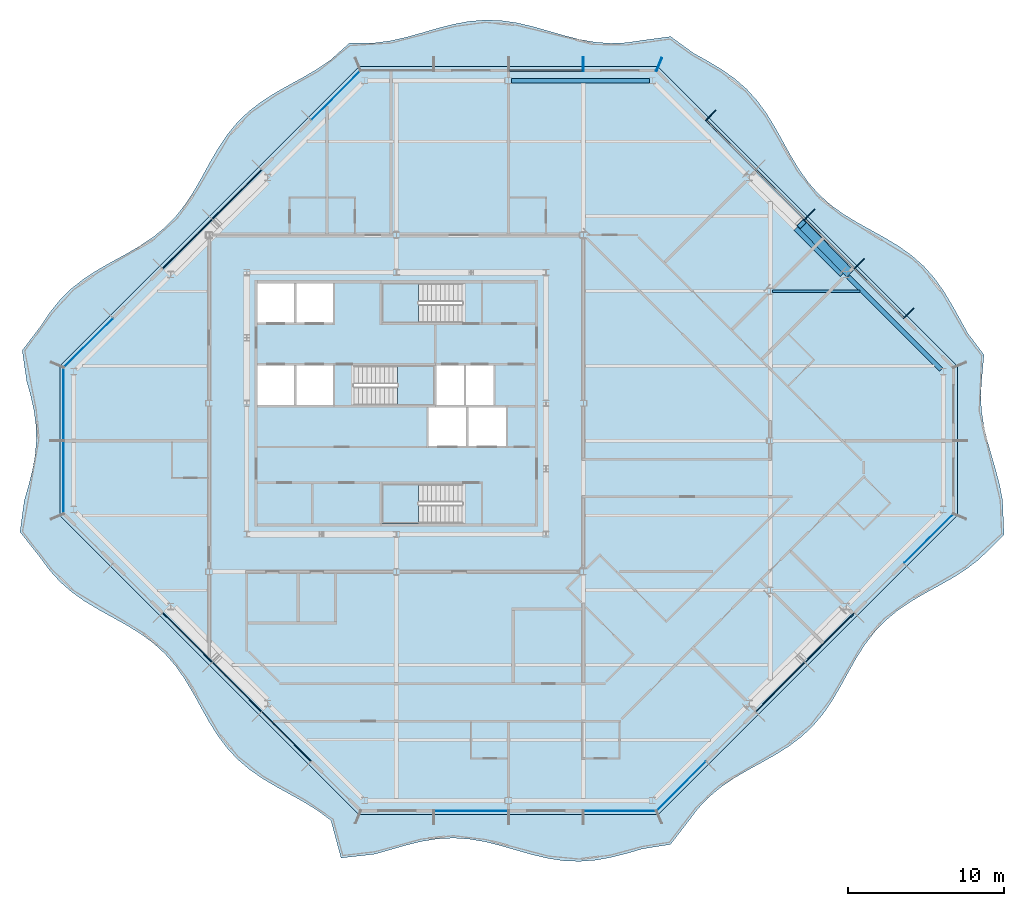
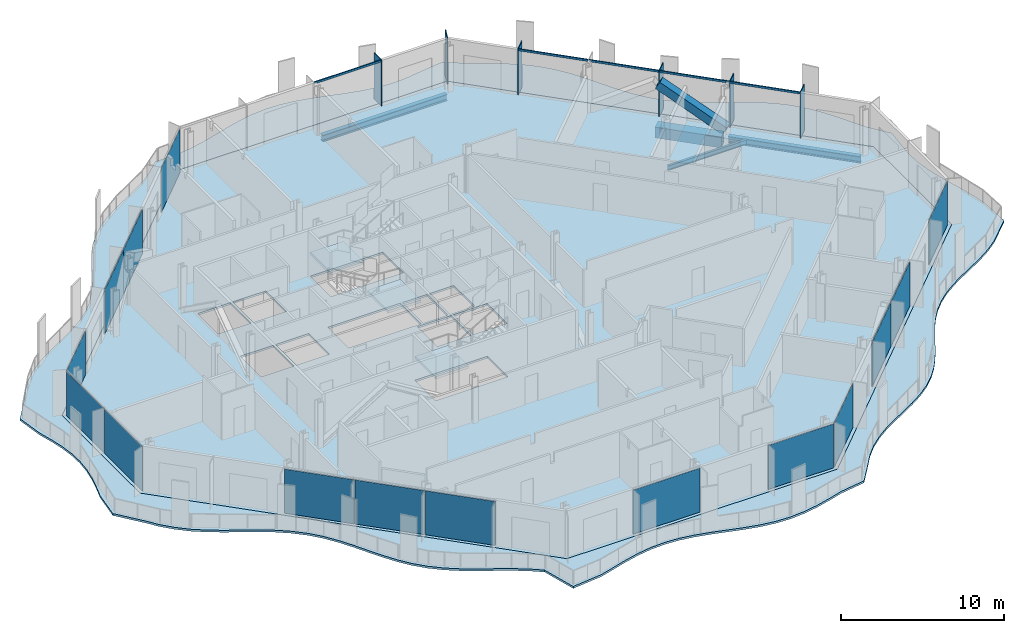
# One storey, part 5 of 17: 15 plates, 12 members, 5 slabs, 4 beams, 10 elements without a shape of their own.
"""IFC4 building model written with IfcOpenShell, lengths in metres."""

import ifcopenshell
import ifcopenshell.guid

model = None  # the IFC model being written
_history = None  # IfcOwnerHistory: only IFC2X3 demands one
_inside = {}  # id of a spatial element -> (the spatial element, [elements in it])
_under = {}  # id of a project, library or spatial element -> (it, [spatial elements below it])
_declared = {}  # id of a project -> (the project, [libraries it declares])
_typed = {}  # id of a type object -> (the type object, [elements of that type])
_made_of = {}  # id of a material, layer set ... -> (it, [elements and type objects made of it])


def new_model(schema):
    """Start an empty IFC model of exactly this schema.

    Asked for "IFC4X3", IfcOpenShell would pick the latest addendum, in which some entities
    have other attributes; the version numbers below select the first issue.
    IFC2X3 requires an IfcOwnerHistory on every rooted entity: one is made here for all.
    """
    global model, _history
    if schema == "IFC4X3":
        model = ifcopenshell.file(schema_version=(4, 3, 0, 0))
    else:
        model = ifcopenshell.file(schema=schema)
    _inside.clear()
    _under.clear()
    _declared.clear()
    _typed.clear()
    _made_of.clear()
    _history = None
    if model.schema == "IFC2X3":
        org = make("IfcOrganization", Name="unknown")
        user = make(
            "IfcPersonAndOrganization",
            ThePerson=make("IfcPerson", FamilyName="unknown"),
            TheOrganization=org,
        )
        app = make(
            "IfcApplication",
            ApplicationDeveloper=org,
            Version="unknown",
            ApplicationFullName="unknown",
            ApplicationIdentifier="unknown",
        )
        _history = make(
            "IfcOwnerHistory",
            OwningUser=user,
            OwningApplication=app,
            ChangeAction="ADDED",
            CreationDate=0,
        )
    return model


def make(cls, **values):
    """One entity of the class cls with the attributes given. An attribute that is None is left unset."""
    return model.create_entity(
        cls, **{name: value for name, value in values.items() if value is not None}
    )


def rooted(cls, **values):
    """An entity with a GlobalId (a new one), such as an element, a storey or a relation."""
    return make(cls, GlobalId=ifcopenshell.guid.new(), OwnerHistory=_history, **values)


def si_unit(unit_type, name, prefix=None):
    """IfcSIUnit, for example si_unit("LENGTHUNIT", "METRE", prefix="MILLI")."""
    return make("IfcSIUnit", UnitType=unit_type, Prefix=prefix, Name=name)


def assignment(units):
    """IfcUnitAssignment: the units of a project."""
    return None if units is None else make("IfcUnitAssignment", Units=units)


def point(xyz):
    """IfcCartesianPoint."""
    return None if xyz is None else make("IfcCartesianPoint", Coordinates=xyz)


def direction(xyz):
    """IfcDirection."""
    return None if xyz is None else make("IfcDirection", DirectionRatios=xyz)


def frame(location, z_axis=None, x_axis=None):
    """IfcAxis2Placement3D, a coordinate frame: its origin and axes. An axis left out is left unset."""
    return make(
        "IfcAxis2Placement3D",
        Location=point(location),
        Axis=direction(z_axis),
        RefDirection=direction(x_axis),
    )


def frame_2d(location, x_axis=None):
    """IfcAxis2Placement2D, a coordinate frame in the plane: its origin and x axis."""
    return make(
        "IfcAxis2Placement2D", Location=point(location), RefDirection=direction(x_axis)
    )


def origin():
    """The frame at (0, 0, 0) with its axes left unset."""
    return frame((0.0, 0.0, 0.0))


def origin_2d():
    """The frame at (0, 0) in the plane with its x axis left unset."""
    return frame_2d((0.0, 0.0))


def place(relative_to, where):
    """IfcLocalPlacement: puts the frame where relative to a parent placement (None: the world)."""
    return make(
        "IfcLocalPlacement", PlacementRelTo=relative_to, RelativePlacement=where
    )


def context(
    kind, dimensions, precision=None, world=None, true_north=None, identifier=None
):
    """IfcGeometricRepresentationContext, for example the 3D "Model" context."""
    return make(
        "IfcGeometricRepresentationContext",
        ContextIdentifier=identifier,
        ContextType=kind,
        CoordinateSpaceDimension=dimensions,
        Precision=precision,
        WorldCoordinateSystem=world,
        TrueNorth=true_north,
    )


def subcontext(parent, identifier, kind, view, scale=None):
    """IfcGeometricRepresentationSubContext, for example "Body" below "Model"."""
    return make(
        "IfcGeometricRepresentationSubContext",
        ContextIdentifier=identifier,
        ContextType=kind,
        ParentContext=parent,
        TargetScale=scale,
        TargetView=view,
    )


def project(units=None, contexts=None):
    """IfcProject with its units and contexts."""
    return rooted(
        "IfcProject",
        Name="project",
        RepresentationContexts=contexts,
        UnitsInContext=assignment(units),
    )


def spatial(cls, under=None, at=None, **own):
    """A site, building, storey or space (cls), placed at a placement, below another one or the project."""
    s = rooted(cls, ObjectPlacement=at, **own)
    if under is not None:
        _under.setdefault(under.id(), (under, []))[1].append(s)
    return s


def polyline(points):
    """IfcPolyline through the points."""
    return make("IfcPolyline", Points=[point(p) for p in points])


def profile(cls, at=None, kind="AREA", **sizes):
    """A parametric profile (cls). Its sizes go by their IFC names, for example OverallWidth=200.0."""
    return make(cls, ProfileType=kind, Position=at, **sizes)


def rectangle(**sizes):
    """IfcRectangleProfileDef."""
    return profile("IfcRectangleProfileDef", **sizes)


def hollow_rectangle(**sizes):
    """IfcRectangleHollowProfileDef."""
    return profile("IfcRectangleHollowProfileDef", **sizes)


def i_section(**sizes):
    """IfcIShapeProfileDef."""
    return profile("IfcIShapeProfileDef", **sizes)


def outline(outer, holes=None, kind="AREA"):
    """IfcArbitraryClosedProfileDef: a profile drawn as a closed curve; with holes, ...WithVoids."""
    if holes is None:
        return make("IfcArbitraryClosedProfileDef", ProfileType=kind, OuterCurve=outer)
    return make(
        "IfcArbitraryProfileDefWithVoids",
        ProfileType=kind,
        OuterCurve=outer,
        InnerCurves=holes,
    )


def extrude(swept, where, along, depth):
    """IfcExtrudedAreaSolid: the profile swept, set in the frame where, extruded along a direction by depth."""
    return make(
        "IfcExtrudedAreaSolid",
        SweptArea=swept,
        Position=where,
        ExtrudedDirection=direction(along),
        Depth=depth,
    )


def shape(context_of_items, identifier, shape_type, items):
    """IfcShapeRepresentation: the items that make up one representation, for example the "Body"."""
    return make(
        "IfcShapeRepresentation",
        ContextOfItems=context_of_items,
        RepresentationIdentifier=identifier,
        RepresentationType=shape_type,
        Items=items,
    )


def material(Name=None, Category=None):
    """IfcMaterial."""
    return make("IfcMaterial", Name=Name, Category=Category)


def layer(
    of_material, thickness, ventilated=None, Name=None, Category=None, Priority=None
):
    """IfcMaterialLayer: one layer of a wall or slab, of a material (None: an air gap)."""
    return make(
        "IfcMaterialLayer",
        Material=of_material,
        LayerThickness=thickness,
        IsVentilated=ventilated,
        Name=Name,
        Category=Category,
        Priority=Priority,
    )


def layer_set(layers, Name=None):
    """IfcMaterialLayerSet."""
    return make("IfcMaterialLayerSet", MaterialLayers=layers, LayerSetName=Name)


def material_profile(
    of_material, cross_section, Name=None, Category=None, Priority=None
):
    """IfcMaterialProfile: a cross section and its material."""
    return make(
        "IfcMaterialProfile",
        Name=Name,
        Material=of_material,
        Profile=cross_section,
        Priority=Priority,
        Category=Category,
    )


def profile_set(profiles, Name=None, composite=None):
    """IfcMaterialProfileSet."""
    return make(
        "IfcMaterialProfileSet",
        Name=Name,
        MaterialProfiles=profiles,
        CompositeProfile=composite,
    )


def made_of(thing, what):
    """Note that an element or type object is made of a material, layer set ...; save() writes the relation."""
    if what is not None:
        _made_of.setdefault(what.id(), (what, []))[1].append(thing)
    return thing


def type_object(cls, material=None, **own):
    """A type object (cls), such as IfcWallType, which elements share."""
    return made_of(rooted(cls, **own), material)


def element(
    cls,
    number,
    at=None,
    inside=None,
    cuts=None,
    type_object=None,
    material=None,
    context=None,
    identifier="Body",
    shape_type=None,
    held_by="IfcProductDefinitionShape",
    body=None,
    shapes=None,
    **own,
):
    """One element of the class cls, such as IfcWall. Its Tag is "e" and its number.

    at: its placement. inside: the storey or other place that contains it. cuts: it is an
    opening in that element (IfcRelVoidsElement). A single representation is given by context,
    identifier, shape_type and body (its items); several are given by shapes. held_by: the class
    of the entity that holds the representations. save() writes the other relations.
    """
    e = rooted(cls, Tag="e%d" % number, ObjectPlacement=at, **own)
    if body is not None:
        shapes = [shape(context, identifier, shape_type, body)]
    if shapes is not None:
        e.Representation = make(held_by, Representations=shapes)
    if inside is not None:
        _inside.setdefault(inside.id(), (inside, []))[1].append(e)
    if cuts is not None:
        rooted(
            "IfcRelVoidsElement", RelatingBuildingElement=cuts, RelatedOpeningElement=e
        )
    if type_object is not None:
        _typed.setdefault(type_object.id(), (type_object, []))[1].append(e)
    return made_of(e, material)


def aggregate(whole, parts):
    """IfcRelAggregates: a whole, such as a stair, and the parts it consists of."""
    return rooted("IfcRelAggregates", RelatingObject=whole, RelatedObjects=parts)


def save(model, path):
    """Write the relations noted so far, then the file.

    IfcRelAggregates (storeys below a building ...), IfcRelContainedInSpatialStructure (elements
    in a storey), IfcRelDefinesByType, IfcRelAssociatesMaterial and IfcRelDeclares: one each for
    every whole, place, type object, material and project.
    """
    for whole, parts in _under.values():
        aggregate(whole, parts)
    for where, things in _inside.values():
        rooted(
            "IfcRelContainedInSpatialStructure",
            RelatedElements=things,
            RelatingStructure=where,
        )
    for kind, things in _typed.values():
        rooted("IfcRelDefinesByType", RelatedObjects=things, RelatingType=kind)
    for what, things in _made_of.values():
        rooted("IfcRelAssociatesMaterial", RelatedObjects=things, RelatingMaterial=what)
    for by, libraries in _declared.values():
        rooted("IfcRelDeclares", RelatingContext=by, RelatedDefinitions=libraries)
    model.write(path)


model = new_model("IFC4")

# Units and contexts
model_context = context("Model", 3, precision=1e-05, world=origin(), true_north=direction((0.0, 1.0)))
body_context = subcontext(model_context, "Body", "Model", "MODEL_VIEW")
ifc_project = project(units=[si_unit("LENGTHUNIT", "METRE"), si_unit("AREAUNIT", "SQUARE_METRE"), si_unit("VOLUMEUNIT", "CUBIC_METRE"), si_unit("PLANEANGLEUNIT", "RADIAN"), si_unit("MASSUNIT", "GRAM", prefix="KILO")], contexts=[model_context])

# Site, building, storey
site_placement = place(None, origin())
site = spatial("IfcSite", under=ifc_project, at=site_placement, CompositionType="ELEMENT")
building_placement = place(site_placement, origin())
building = spatial("IfcBuilding", under=site, at=building_placement, Name="Cairn Pilgrim Tower", CompositionType="ELEMENT")
storey_placement = place(building_placement, frame((0.0, 0.0, 232.199951171875)))
storey = spatial("IfcBuildingStorey", under=building, at=storey_placement, Name="L59", CompositionType="ELEMENT", Elevation=232.199951171875)

# Member
ifc_material_1 = material(Name="Structural steel S460M", Category="steel")
ifc_material_profile_1 = material_profile(ifc_material_1, hollow_rectangle(XDim=0.60009765625, YDim=0.60009765625, WallThickness=0.034912109375, at=origin_2d()), Name="BOX 600x600x35")
ifc_profile_set_1 = profile_set([ifc_material_profile_1], Name="Structural steel S460M")
member_type_1 = type_object("IfcMemberType", Name="BOX 600x600x35 BRACE", PredefinedType="BRACE", material=ifc_profile_set_1)
member_1_placement = place(storey_placement, frame((36.201416015625, 10.823974609375, 0.150146484375), z_axis=(-0.594778373814, 0.610009201523, 0.523571828979), x_axis=(-0.715988756584, -0.698111810848, 0.0)))
element("IfcMember", 1, at=member_1_placement, inside=storey, type_object=member_type_1, Name="XB-NE2-NE3-1", PredefinedType="BRACE", context=body_context, shape_type="SweptSolid", body=[
    extrude(hollow_rectangle(XDim=0.60009765625, YDim=0.60009765625, WallThickness=0.034912109375, at=origin_2d()), origin(), (0.0, 0.0, 1.0), 5.033203125),
])

# Beam
ifc_material_2 = material(Name="Structural steel S355J2", Category="steel")
ifc_material_profile_2 = material_profile(ifc_material_2, hollow_rectangle(XDim=0.699951171875, YDim=0.800048828125, WallThickness=0.0400390625, at=origin_2d()), Name="BOX 700x800x40")
ifc_profile_set_2 = profile_set([ifc_material_profile_2], Name="Structural steel S355J2")
beam_type_1 = type_object("IfcBeamType", Name="BOX 700x800x40 RING GIRDER", PredefinedType="SPANDREL", material=ifc_profile_set_2)
beam_1_placement = place(storey_placement, frame((35.943359375, 10.78369140625, -0.550048828125), z_axis=(-0.707077813866, 0.707135747321, 0.0), x_axis=(-0.707135747321, -0.707077813866, 0.0)))
element("IfcBeam", 2, at=beam_1_placement, inside=storey, type_object=beam_type_1, Name="RG3-NE2-NE3-1", PredefinedType="SPANDREL", context=body_context, shape_type="SweptSolid", body=[
    extrude(hollow_rectangle(XDim=0.699951171875, YDim=0.800048828125, WallThickness=0.0400390625, at=origin_2d()), origin(), (0.0, 0.0, 1.0), 4.214111328125),
])

# Curtain wall, members
ifc_material_3 = material(Name="Aluminium alloy 6063-T6 bronze anodised with Bronze tinted laminated low-E glass 8+16+8.8", Category="aluminium")
curtain_wall_type_1 = type_object("IfcCurtainWallType", Name="CHAMFER CORNER CURTAIN WALL", PredefinedType="NOTDEFINED", material=ifc_material_3)
curtain_wall_1_placement = place(storey_placement, origin())
curtain_wall_1 = element("IfcCurtainWall", 3, at=curtain_wall_1_placement, inside=storey, type_object=curtain_wall_type_1, Name="Chamfer Corner Curtain Wall NE", PredefinedType="NOTDEFINED")
ifc_material_4 = material(Name="Aluminium alloy 6063-T6 bronze anodised", Category="aluminium")
ifc_material_profile_3 = material_profile(ifc_material_4, rectangle(XDim=0.89990234375, YDim=0.06005859375, at=origin_2d()), Name="FIN MULLION 60x900 BRONZE")
ifc_profile_set_3 = profile_set([ifc_material_profile_3], Name="Aluminium alloy 6063-T6 bronze anodised")
member_type_2 = type_object("IfcMemberType", Name="FIN MULLION 60x900 BRONZE", PredefinedType="MULLION", material=ifc_profile_set_3)
member_2_placement = place(storey_placement, frame((40.0712890625, 8.1689453125, 0.0), z_axis=(0.0, 0.0, 1.0), x_axis=(0.707106781187, 0.707106781187, 0.0)))
member_2 = element("IfcMember", 4, at=member_2_placement, type_object=member_type_2, Name="Fin mullion NE2", PredefinedType="MULLION", context=body_context, shape_type="SweptSolid", body=[
    extrude(rectangle(XDim=0.89990234375, YDim=0.06005859375, at=origin_2d()), origin(), (0.0, 0.0, 1.0), 3.449951171875),
])
member_3_placement = place(storey_placement, frame((36.895751953125, 11.3447265625, 0.0), z_axis=(0.0, 0.0, 1.0), x_axis=(0.707106781187, 0.707106781187, 0.0)))
member_3 = element("IfcMember", 5, at=member_3_placement, type_object=member_type_2, Name="Fin mullion NE3", PredefinedType="MULLION", context=body_context, shape_type="SweptSolid", body=[
    extrude(rectangle(XDim=0.89990234375, YDim=0.06005859375, at=origin_2d()), origin(), (0.0, 0.0, 1.0), 3.449951171875),
])
member_4_placement = place(storey_placement, frame((33.72021484375, 14.520263671875, 0.0), z_axis=(0.0, 0.0, 1.0), x_axis=(0.707106781187, 0.707106781187, 0.0)))
member_4 = element("IfcMember", 6, at=member_4_placement, type_object=member_type_2, Name="Fin mullion NE4", PredefinedType="MULLION", context=body_context, shape_type="SweptSolid", body=[
    extrude(rectangle(XDim=0.89990234375, YDim=0.06005859375, at=origin_2d()), origin(), (0.0, 0.0, 1.0), 3.449951171875),
])
member_5_placement = place(storey_placement, frame((27.369140625, 20.871337890625, 0.0), z_axis=(0.0, 0.0, 1.0), x_axis=(0.707106781187, 0.707106781187, 0.0)))
member_5 = element("IfcMember", 7, at=member_5_placement, type_object=member_type_2, Name="Fin mullion NE6", PredefinedType="MULLION", context=body_context, shape_type="SweptSolid", body=[
    extrude(rectangle(XDim=0.89990234375, YDim=0.06005859375, at=origin_2d()), origin(), (0.0, 0.0, 1.0), 3.449951171875),
])

curtain_wall_type_2 = type_object("IfcCurtainWallType", Name="TOWER STICK CURTAIN WALL NS", PredefinedType="NOTDEFINED", material=ifc_material_3)
curtain_wall_2_placement = place(storey_placement, origin())
curtain_wall_2 = element("IfcCurtainWall", 8, at=curtain_wall_2_placement, inside=storey, type_object=curtain_wall_type_2, Name="Tower Stick Curtain Wall Ns N", PredefinedType="NOTDEFINED")
member_6_placement = place(storey_placement, frame((24.05712890625, 24.137939453125, 0.0), z_axis=(0.0, 0.0, 1.0), x_axis=(0.382683432365, 0.923879532511, 0.0)))
member_6 = element("IfcMember", 9, at=member_6_placement, type_object=member_type_2, Name="Fin mullion N1", PredefinedType="MULLION", context=body_context, shape_type="SweptSolid", body=[
    extrude(rectangle(XDim=0.89990234375, YDim=0.06005859375, at=origin_2d()), origin(), (0.0, 0.0, 1.0), 3.449951171875),
])
member_7_placement = place(storey_placement, frame((19.199951171875, 24.169921875, 0.0), z_axis=(0.0, 0.0, 1.0), x_axis=(0.0, 1.0, 0.0)))
member_7 = element("IfcMember", 10, at=member_7_placement, type_object=member_type_2, Name="Fin mullion N2", PredefinedType="MULLION", context=body_context, shape_type="SweptSolid", body=[
    extrude(rectangle(XDim=0.89990234375, YDim=0.06005859375, at=origin_2d()), origin(), (0.0, 0.0, 1.0), 3.449951171875),
])

# Beams
ifc_material_profile_4 = material_profile(ifc_material_2, i_section(OverallWidth=0.300048828125, OverallDepth=0.5, WebThickness=0.014404296875, FlangeThickness=0.028076171875, FilletRadius=0.027099609375, at=origin_2d()), Name="HEB 500")
ifc_profile_set_4 = profile_set([ifc_material_profile_4], Name="Structural steel S355J2")
beam_type_2 = type_object("IfcBeamType", Name="HEB 500 RING GIRDER", PredefinedType="SPANDREL", material=ifc_profile_set_4)
beam_2_placement = place(storey_placement, frame((42.16748046875, 4.5595703125, -0.39990234375), z_axis=(-0.707106781187, 0.707106781187, 0.0), x_axis=(-0.707106781187, -0.707106781187, 0.0)))
element("IfcBeam", 11, at=beam_2_placement, inside=storey, type_object=beam_type_2, Name="RG3-NE1-NE2", PredefinedType="SPANDREL", context=body_context, shape_type="SweptSolid", body=[
    extrude(i_section(OverallWidth=0.300048828125, OverallDepth=0.5, WebThickness=0.014404296875, FlangeThickness=0.028076171875, FilletRadius=0.027099609375, at=origin_2d()), origin(), (0.0, 0.0, 1.0), 8.427978515625),
])
beam_3_placement = place(storey_placement, frame((23.43994140625, 23.10009765625, -0.39990234375), z_axis=(-1.0, 0.0, 0.0), x_axis=(0.0, -1.0, 0.0)))
element("IfcBeam", 12, at=beam_3_placement, inside=storey, type_object=beam_type_2, Name="RG3-N1-N2", PredefinedType="SPANDREL", context=body_context, shape_type="SweptSolid", body=[
    extrude(i_section(OverallWidth=0.300048828125, OverallDepth=0.5, WebThickness=0.014404296875, FlangeThickness=0.028076171875, FilletRadius=0.027099609375, at=origin_2d()), origin(), (0.0, 0.0, 1.0), 8.852783203125),
])
ifc_material_profile_5 = material_profile(ifc_material_2, i_section(OverallWidth=0.169921875, OverallDepth=0.360107421875, WebThickness=0.008056640625, FlangeThickness=0.0126953125, FilletRadius=0.01806640625, at=origin_2d()), Name="IPE 360")
ifc_profile_set_5 = profile_set([ifc_material_profile_5], Name="Structural steel S355J2")
beam_type_3 = type_object("IfcBeamType", Name="IPE 360 SECONDARY BEAM", PredefinedType="JOIST", material=ifc_profile_set_5)
beam_4_placement = place(storey_placement, frame((31.35009765625, 9.60009765625, -0.329833984375), z_axis=(1.0, 0.0, 0.0), x_axis=(0.0, 1.0, 0.0)))
element("IfcBeam", 13, at=beam_4_placement, inside=storey, type_object=beam_type_3, Name="SB7-3", PredefinedType="JOIST", context=body_context, shape_type="SweptSolid", body=[
    extrude(i_section(OverallWidth=0.169921875, OverallDepth=0.360107421875, WebThickness=0.008056640625, FlangeThickness=0.0126953125, FilletRadius=0.01806640625, at=origin_2d()), origin(), (0.0, 0.0, 1.0), 5.594970703125),
])

# Member
ifc_material_profile_6 = material_profile(ifc_material_4, rectangle(XDim=0.080078125, YDim=0.14990234375, at=origin_2d()), Name="TRANSOM 80x150 BRONZE")
ifc_profile_set_6 = profile_set([ifc_material_profile_6], Name="Aluminium alloy 6063-T6 bronze anodised")
member_type_3 = type_object("IfcMemberType", Name="TRANSOM 80x150 BRONZE", PredefinedType="USERDEFINED", material=ifc_profile_set_6)
member_8_placement = place(storey_placement, frame((39.753173828125, 7.893310546875, 3.375), z_axis=(-0.707106781187, 0.707106781187, 0.0), x_axis=(-0.707106781187, -0.707106781187, 0.0)))
member_8 = element("IfcMember", 14, at=member_8_placement, type_object=member_type_3, Name="Transom NE2", ObjectType="TRANSOM", PredefinedType="USERDEFINED", context=body_context, shape_type="SweptSolid", body=[
    extrude(rectangle(XDim=0.080078125, YDim=0.14990234375, at=origin_2d()), origin(), (0.0, 0.0, 1.0), 4.430908203125),
])

member_9_placement = place(storey_placement, frame((36.57763671875, 11.06884765625, 3.375), z_axis=(-0.707134329907, 0.707079231393, 0.0), x_axis=(-0.707079231393, -0.707134329907, 0.0)))
member_9 = element("IfcMember", 15, at=member_9_placement, type_object=member_type_3, Name="Transom NE3", ObjectType="TRANSOM", PredefinedType="USERDEFINED", context=body_context, shape_type="SweptSolid", body=[
    extrude(rectangle(XDim=0.080078125, YDim=0.14990234375, at=origin_2d()), origin(), (0.0, 0.0, 1.0), 4.430908203125),
])

member_10_placement = place(storey_placement, frame((33.402099609375, 14.244384765625, 3.375), z_axis=(-0.707106781187, 0.707106781187, 0.0), x_axis=(-0.707106781187, -0.707106781187, 0.0)))
member_10 = element("IfcMember", 16, at=member_10_placement, type_object=member_type_3, Name="Transom NE4", ObjectType="TRANSOM", PredefinedType="USERDEFINED", context=body_context, shape_type="SweptSolid", body=[
    extrude(rectangle(XDim=0.080078125, YDim=0.14990234375, at=origin_2d()), origin(), (0.0, 0.0, 1.0), 4.43115234375),
])

member_11_placement = place(storey_placement, frame((30.226318359375, 17.419921875, 3.375), z_axis=(-0.707079231393, 0.707134329907, 0.0), x_axis=(-0.707134329907, -0.707079231393, 0.0)))
member_11 = element("IfcMember", 17, at=member_11_placement, type_object=member_type_3, Name="Transom NE5", ObjectType="TRANSOM", PredefinedType="USERDEFINED", context=body_context, shape_type="SweptSolid", body=[
    extrude(rectangle(XDim=0.080078125, YDim=0.14990234375, at=origin_2d()), origin(), (0.0, 0.0, 1.0), 4.430908203125),
])

aggregate(curtain_wall_1, [member_2, member_3, member_4, member_5, member_8, member_9, member_10, member_11])

member_12_placement = place(storey_placement, frame((19.169921875, 23.75, 3.375), z_axis=(-1.0, 0.0, 0.0), x_axis=(0.0, -1.0, 0.0)))
member_12 = element("IfcMember", 18, at=member_12_placement, type_object=member_type_3, Name="Transom N2", ObjectType="TRANSOM", PredefinedType="USERDEFINED", context=body_context, shape_type="SweptSolid", body=[
    extrude(rectangle(XDim=0.080078125, YDim=0.14990234375, at=origin_2d()), origin(), (0.0, 0.0, 1.0), 4.739990234375),
])

aggregate(curtain_wall_2, [member_6, member_7, member_12])

# Slabs
ifc_material_5 = material(Name="Concrete C35/45", Category="concrete")
ifc_layer_1 = layer(ifc_material_5, 0.14990234375)
ifc_layer_set_1 = layer_set([ifc_layer_1], Name="BALCONY SLAB 150 CONCRETE C35/45")
slab_type_1 = type_object("IfcSlabType", Name="BALCONY SLAB 150 CONCRETE C35/45", PredefinedType="FLOOR", material=ifc_layer_set_1)
slab_1_placement = place(storey_placement, frame((0.0, 0.0, -0.14990234375)))
element("IfcSlab", 19, at=slab_1_placement, inside=storey, type_object=slab_type_1, Name="Balcony slab BS-1", PredefinedType="FLOOR", context=body_context, shape_type="SweptSolid", body=[
    extrude(outline(polyline([(3.002685546875, -24.375244140625), (3.6484375, -26.7802734375), (5.810546875, -26.5341796875), (6.821044921875, -26.243896484375), (7.83154296875, -25.954345703125), (8.842041015625, -25.7109375), (9.8525390625, -25.55126953125), (10.863037109375, -25.500244140625), (11.873779296875, -25.565673828125), (12.88427734375, -25.737548828125), (13.894775390625, -25.989013671875), (14.9052734375, -26.281005859375), (15.915771484375, -26.568115234375), (16.92626953125, -26.805908203125), (17.936767578125, -26.957275390625), (18.947265625, -26.998779296875), (19.9580078125, -26.923828125), (20.968505859375, -26.744140625), (21.97900390625, -26.487548828125), (22.989501953125, -26.1943359375), (24.791015625, -25.909423828125), (25.89794921875, -24.475830078125), (26.508056640625, -23.66357421875), (27.19580078125, -22.92919921875), (27.965087890625, -22.276123046875), (28.806640625, -21.695556640625), (29.700439453125, -21.167236328125), (30.61865234375, -20.6630859375), (31.529052734375, -20.151123046875), (32.401123046875, -19.60107421875), (33.2099609375, -18.98779296875), (33.940673828125, -18.29638671875), (34.59033203125, -17.523681640625), (35.16796875, -16.67919921875), (35.694580078125, -15.783447265625), (36.198486328125, -14.864990234375), (36.71142578125, -13.955810546875), (37.263916015625, -13.086181640625), (37.88037109375, -12.280517578125), (38.57568359375, -11.553466796875), (39.351806640625, -10.907470703125), (40.19921875, -10.33251953125), (41.096435546875, -9.8076171875), (42.01513671875, -9.303955078125), (42.92333984375, -8.7900390625), (43.79052734375, -8.235107421875), (44.5927734375, -7.614990234375), (46.19287109375, -6.03955078125), (46.1025390625, -3.840087890625), (45.920654296875, -2.8798828125), (45.672607421875, -1.919921875), (45.393310546875, -0.9599609375), (45.121826171875, 0.0), (44.896728515625, 0.9599609375), (44.749267578125, 1.919921875), (44.699951171875, 2.8798828125), (44.75634765625, 3.840087890625), (44.909912109375, 5.50830078125), (43.868896484375, 6.89111328125), (43.361328125, 7.8056640625), (42.854736328125, 8.721435546875), (42.31787109375, 9.60693359375), (41.723876953125, 10.43505859375), (41.0546875, 11.18798828125), (40.3037109375, 11.859375), (39.477294921875, 12.455078125), (38.59326171875, 12.9931640625), (37.677978515625, 13.5), (36.762939453125, 14.00732421875), (35.879638671875, 14.54638671875), (35.054443359375, 15.143310546875), (34.30517578125, 15.816162109375), (33.637451171875, 16.57080078125), (33.044677734375, 17.400146484375), (32.508544921875, 18.286376953125), (32.00244140625, 19.202392578125), (31.494384765625, 20.11669921875), (30.953369140625, 20.997802734375), (30.35302734375, 21.81982421875), (29.676513671875, 22.5654296875), (28.91845703125, 23.229736328125), (28.0859375, 23.8193359375), (27.19775390625, 24.353515625), (26.28125, 24.859130859375), (24.80126953125, 25.9345703125), (22.989501953125, 25.696044921875), (21.97900390625, 25.543701171875), (20.968505859375, 25.5009765625), (19.9580078125, 25.574951171875), (18.947265625, 25.753662109375), (17.936767578125, 26.009521484375), (16.92626953125, 26.302734375), (15.915771484375, 26.587890625), (14.9052734375, 26.8203125), (13.894775390625, 26.96435546875), (12.88427734375, 26.9970703125), (11.873779296875, 26.913818359375), (10.863037109375, 26.7275390625), (9.8525390625, 26.466796875), (8.842041015625, 26.17236328125), (7.83154296875, 25.89013671875), (6.821044921875, 25.663818359375), (5.810546875, 25.528564453125), (4.176513671875, 25.50537109375), (2.95947265625, 24.41845703125), (2.1123046875, 23.84326171875), (1.215087890625, 23.318359375), (0.29638671875, 22.814697265625), (-0.61181640625, 22.30078125), (-1.479248046875, 21.745849609375), (-2.28173828125, 21.126220703125), (-3.005126953125, 20.427490234375), (-3.647705078125, 19.647705078125), (-4.22021484375, 18.7978515625), (-4.743408203125, 17.89892578125), (-5.246826171875, 16.97998046875), (-5.761962890625, 16.072998046875), (-6.3193359375, 15.208251953125), (-6.9423828125, 14.4091796875), (-7.644775390625, 13.689208984375), (-8.427978515625, 13.050048828125), (-9.280517578125, 12.48046875), (-10.180908203125, 11.958740234375), (-11.10009765625, 11.45556640625), (-12.005859375, 10.939208984375), (-12.8681640625, 10.37939453125), (-13.663818359375, 9.7529296875), (-14.380126953125, 9.046630859375), (-15.015625, 8.26025390625), (-15.58251953125, 7.40478515625), (-16.808349609375, 5.797607421875), (-16.52734375, 3.840087890625), (-16.263427734375, 2.8798828125), (-16.053955078125, 1.919921875), (-15.92822265625, 0.9599609375), (-15.90380859375, 0.0), (-15.984375, -0.9599609375), (-16.158203125, -1.919921875), (-16.401123046875, -2.8798828125), (-16.678955078125, -3.840087890625), (-16.952880859375, -5.857421875), (-15.664306640625, -7.486572265625), (-15.064208984375, -8.30859375), (-14.3876953125, -9.054443359375), (-13.6298828125, -9.71875), (-12.79736328125, -10.30859375), (-11.909423828125, -10.842529296875), (-10.99267578125, -11.348388671875), (-10.079345703125, -11.857177734375), (-9.2001953125, -12.400146484375), (-8.38134765625, -13.00341796875), (-7.638916015625, -13.68359375), (-6.978271484375, -14.445068359375), (-6.3916015625, -15.280517578125), (-5.859375, -16.17041015625), (-5.354248046875, -17.087646484375), (-4.844482421875, -18.0), (-4.29931640625, -18.876953125), (-3.69287109375, -19.69287109375), (-3.009033203125, -20.431396484375), (-2.243896484375, -21.08837890625), (-1.405517578125, -21.67236328125), (-0.513671875, -22.20263671875), (0.40380859375, -22.707275390625), (1.3154296875, -23.2177734375), (2.190185546875, -23.765380859375), (3.002685546875, -24.375244140625)]), holes=[polyline([(24.0, -24.0), (4.800048828125, -24.0), (-14.39990234375, -4.800048828125), (-14.39990234375, 4.800048828125), (4.800048828125, 24.0), (24.0, 24.0), (43.199951171875, 4.800048828125), (43.199951171875, -4.800048828125), (24.0, -24.0)])]), origin(), (0.0, 0.0, 1.0), 0.14990234375),
])
ifc_layer_2 = layer(ifc_material_5, 0.14990234375)
ifc_layer_set_2 = layer_set([ifc_layer_2], Name="COMPOSITE FLOOR SLAB 150")
slab_type_2 = type_object("IfcSlabType", Name="COMPOSITE FLOOR SLAB 150", PredefinedType="FLOOR", material=ifc_layer_set_2)
slab_2_placement = place(storey_placement, frame((0.0, 0.0, -0.14990234375)))
element("IfcSlab", 20, at=slab_2_placement, inside=storey, type_object=slab_type_2, Name="FLOOR SLAB L59", PredefinedType="FLOOR", context=body_context, shape_type="SweptSolid", body=[
    extrude(outline(polyline([(4.800048828125, -24.0), (24.0, -24.0), (43.199951171875, -4.800048828125), (43.199951171875, 4.800048828125), (24.0, 24.0), (4.800048828125, 24.0), (-14.39990234375, 4.800048828125), (-14.39990234375, -4.800048828125), (4.800048828125, -24.0)]), holes=[polyline([(9.27490234375, -0.324951171875), (11.675048828125, -0.324951171875), (11.675048828125, 2.125), (9.27490234375, 2.125), (9.27490234375, -0.324951171875)]), polyline([(11.824951171875, -0.324951171875), (14.22509765625, -0.324951171875), (14.22509765625, 2.125), (11.824951171875, 2.125), (11.824951171875, -0.324951171875)]), polyline([(-1.72509765625, 2.27490234375), (0.625, 2.27490234375), (0.625, 4.824951171875), (-1.72509765625, 4.824951171875), (-1.72509765625, 2.27490234375)]), polyline([(0.77490234375, 2.27490234375), (3.125, 2.27490234375), (3.125, 4.824951171875), (0.77490234375, 4.824951171875), (0.77490234375, 2.27490234375)]), polyline([(-1.72509765625, 7.574951171875), (0.625, 7.574951171875), (0.625, 10.10009765625), (-1.72509765625, 10.10009765625), (-1.72509765625, 7.574951171875)]), polyline([(0.77490234375, 7.574951171875), (3.125, 7.574951171875), (3.125, 10.10009765625), (0.77490234375, 10.10009765625), (0.77490234375, 7.574951171875)]), polyline([(9.77490234375, 2.27490234375), (11.52490234375, 2.27490234375), (11.52490234375, 4.824951171875), (9.77490234375, 4.824951171875), (9.77490234375, 2.27490234375)]), polyline([(11.675048828125, 2.27490234375), (13.425048828125, 2.27490234375), (13.425048828125, 4.824951171875), (11.675048828125, 4.824951171875), (11.675048828125, 2.27490234375)]), polyline([(11.424560546875, -2.77490234375), (6.27490234375, -2.77490234375), (6.27490234375, -5.300048828125), (11.424560546875, -5.300048828125), (11.424560546875, -2.77490234375)]), polyline([(4.4755859375, 2.27490234375), (9.625, 2.27490234375), (9.625, 4.824951171875), (4.4755859375, 4.824951171875), (4.4755859375, 2.27490234375)]), polyline([(11.424560546875, 10.10009765625), (6.27490234375, 10.10009765625), (6.27490234375, 7.574951171875), (11.424560546875, 7.574951171875), (11.424560546875, 10.10009765625)])]), origin(), (0.0, 0.0, 1.0), 0.14990234375),
])

# Curtain wall, plates
curtain_wall_3_placement = place(storey_placement, origin())
curtain_wall_3 = element("IfcCurtainWall", 21, at=curtain_wall_3_placement, inside=storey, type_object=curtain_wall_type_1, Name="Chamfer Corner Curtain Wall SE", PredefinedType="NOTDEFINED")
ifc_material_6 = material(Name="Bronze anodised aluminium spandrel panel with mineral wool insulation", Category="aluminium")
ifc_layer_3 = layer(ifc_material_6, 0.06005859375)
ifc_layer_set_3 = layer_set([ifc_layer_3], Name="SPANDREL PANEL 4431x3300")
plate_type_1 = type_object("IfcPlateType", Name="SPANDREL PANEL 4431x3300", PredefinedType="CURTAIN_PANEL", material=ifc_layer_set_3)
plate_1_placement = place(storey_placement, frame((31.83544921875, -15.81103515625, 0.0), z_axis=(0.0, 0.0, 1.0), x_axis=(0.707106781187, 0.707106781187, 0.0)))
plate_1 = element("IfcPlate", 22, at=plate_1_placement, type_object=plate_type_1, Name="Spandrel Panel SE3-1", PredefinedType="CURTAIN_PANEL", context=body_context, shape_type="SweptSolid", body=[
    extrude(rectangle(XDim=4.430908203125, YDim=0.06005859375, at=origin_2d()), origin(), (0.0, 0.0, 1.0), 3.300048828125),
])
plate_2_placement = place(storey_placement, frame((35.010986328125, -12.635498046875, 0.0), z_axis=(0.0, 0.0, 1.0), x_axis=(0.707106781187, 0.707106781187, 0.0)))
plate_2 = element("IfcPlate", 23, at=plate_2_placement, type_object=plate_type_1, Name="Spandrel Panel SE4-1", PredefinedType="CURTAIN_PANEL", context=body_context, shape_type="SweptSolid", body=[
    extrude(rectangle(XDim=4.430908203125, YDim=0.06005859375, at=origin_2d()), origin(), (0.0, 0.0, 1.0), 3.300048828125),
])

curtain_wall_4_placement = place(storey_placement, origin())
curtain_wall_4 = element("IfcCurtainWall", 24, at=curtain_wall_4_placement, inside=storey, type_object=curtain_wall_type_1, Name="Chamfer Corner Curtain Wall NW", PredefinedType="NOTDEFINED")
plate_3_placement = place(storey_placement, frame((-3.035400390625, 15.81103515625, 0.0), z_axis=(0.0, 0.0, 1.0), x_axis=(-0.707106781187, -0.707106781187, 0.0)))
plate_3 = element("IfcPlate", 25, at=plate_3_placement, type_object=plate_type_1, Name="Spandrel Panel NW3-1", PredefinedType="CURTAIN_PANEL", context=body_context, shape_type="SweptSolid", body=[
    extrude(rectangle(XDim=4.430908203125, YDim=0.06005859375, at=origin_2d()), origin(), (0.0, 0.0, 1.0), 3.300048828125),
])
plate_4_placement = place(storey_placement, frame((-6.2109375, 12.635498046875, 0.0), z_axis=(0.0, 0.0, 1.0), x_axis=(-0.707106781187, -0.707106781187, 0.0)))
plate_4 = element("IfcPlate", 26, at=plate_4_placement, type_object=plate_type_1, Name="Spandrel Panel NW4-1", PredefinedType="CURTAIN_PANEL", context=body_context, shape_type="SweptSolid", body=[
    extrude(rectangle(XDim=4.430908203125, YDim=0.06005859375, at=origin_2d()), origin(), (0.0, 0.0, 1.0), 3.300048828125),
])

curtain_wall_5_placement = place(storey_placement, origin())
curtain_wall_5 = element("IfcCurtainWall", 27, at=curtain_wall_5_placement, inside=storey, type_object=curtain_wall_type_1, Name="Chamfer Corner Curtain Wall SW", PredefinedType="NOTDEFINED")
plate_5_placement = place(storey_placement, frame((-6.2109375, -12.635498046875, 0.0), z_axis=(0.0, 0.0, 1.0), x_axis=(0.707106781187, -0.707106781187, 0.0)))
plate_5 = element("IfcPlate", 28, at=plate_5_placement, type_object=plate_type_1, Name="Spandrel Panel SW3-1", PredefinedType="CURTAIN_PANEL", context=body_context, shape_type="SweptSolid", body=[
    extrude(rectangle(XDim=4.430908203125, YDim=0.06005859375, at=origin_2d()), origin(), (0.0, 0.0, 1.0), 3.300048828125),
])
plate_6_placement = place(storey_placement, frame((-3.035400390625, -15.81103515625, 0.0), z_axis=(0.0, 0.0, 1.0), x_axis=(0.707106781187, -0.707106781187, 0.0)))
plate_6 = element("IfcPlate", 29, at=plate_6_placement, type_object=plate_type_1, Name="Spandrel Panel SW4-1", PredefinedType="CURTAIN_PANEL", context=body_context, shape_type="SweptSolid", body=[
    extrude(rectangle(XDim=4.430908203125, YDim=0.06005859375, at=origin_2d()), origin(), (0.0, 0.0, 1.0), 3.300048828125),
])
plate_7_placement = place(storey_placement, frame((0.14013671875, -18.986572265625, 0.0), z_axis=(0.0, 0.0, 1.0), x_axis=(0.707106781187, -0.707106781187, 0.0)))
plate_7 = element("IfcPlate", 30, at=plate_7_placement, type_object=plate_type_1, Name="Spandrel Panel SW5-1", PredefinedType="CURTAIN_PANEL", context=body_context, shape_type="SweptSolid", body=[
    extrude(rectangle(XDim=4.430908203125, YDim=0.06005859375, at=origin_2d()), origin(), (0.0, 0.0, 1.0), 3.300048828125),
])
aggregate(curtain_wall_5, [plate_5, plate_6, plate_7])

# Stair, slab
ifc_material_7 = material(Name="Concrete C32/40", Category="concrete")
stair_type = type_object("IfcStairType", Name="EXIT STAIR 1200", PredefinedType="HALF_TURN_STAIR", material=ifc_material_7)
stair_1_placement = place(storey_placement, origin())
stair_1 = element("IfcStair", 31, at=stair_1_placement, inside=storey, type_object=stair_type, Name="L59 Exit Stair A", PredefinedType="HALF_TURN_STAIR")
ifc_layer_4 = layer(ifc_material_7, 0.199951171875)
ifc_layer_set_4 = layer_set([ifc_layer_4], Name="STAIR LANDING 200")
slab_type_3 = type_object("IfcSlabType", Name="STAIR LANDING 200", PredefinedType="LANDING", material=ifc_layer_set_4)
slab_3_placement = place(storey_placement, frame((0.0, 0.0, 1.60009765625)))
slab_3 = element("IfcSlab", 32, at=slab_3_placement, type_object=slab_type_3, Name="ST-A landing 1", PredefinedType="LANDING", context=body_context, shape_type="SweptSolid", body=[
    extrude(outline(polyline([(8.625, -2.77490234375), (6.27490234375, -2.77490234375), (6.27490234375, -5.300048828125), (8.625, -5.300048828125), (8.625, -2.77490234375)])), origin(), (0.0, 0.0, 1.0), 0.199951171875),
])
aggregate(stair_1, [slab_3])

stair_2_placement = place(storey_placement, origin())
stair_2 = element("IfcStair", 33, at=stair_2_placement, inside=storey, type_object=stair_type, Name="L59 Exit Stair B", PredefinedType="HALF_TURN_STAIR")
slab_4_placement = place(storey_placement, frame((0.0, 0.0, 1.60009765625)))
slab_4 = element("IfcSlab", 34, at=slab_4_placement, type_object=slab_type_3, Name="ST-B landing 1", PredefinedType="LANDING", context=body_context, shape_type="SweptSolid", body=[
    extrude(outline(polyline([(7.27490234375, 2.27490234375), (9.625, 2.27490234375), (9.625, 4.824951171875), (7.27490234375, 4.824951171875), (7.27490234375, 2.27490234375)])), origin(), (0.0, 0.0, 1.0), 0.199951171875),
])
aggregate(stair_2, [slab_4])

stair_3_placement = place(storey_placement, origin())
stair_3 = element("IfcStair", 35, at=stair_3_placement, inside=storey, type_object=stair_type, Name="L59 Exit Stair C", PredefinedType="HALF_TURN_STAIR")
slab_5_placement = place(storey_placement, frame((0.0, 0.0, 1.60009765625)))
slab_5 = element("IfcSlab", 36, at=slab_5_placement, type_object=slab_type_3, Name="ST-C landing 1", PredefinedType="LANDING", context=body_context, shape_type="SweptSolid", body=[
    extrude(outline(polyline([(8.625, 10.10009765625), (6.27490234375, 10.10009765625), (6.27490234375, 7.574951171875), (8.625, 7.574951171875), (8.625, 10.10009765625)])), origin(), (0.0, 0.0, 1.0), 0.199951171875),
])
aggregate(stair_3, [slab_5])

# Plate
ifc_material_8 = material(Name="Bronze tinted laminated low-E glass 8+16+8.8", Category="glass")
ifc_layer_5 = layer(ifc_material_8, 0.033935546875)
ifc_layer_set_5 = layer_set([ifc_layer_5], Name="VISION GLAZING 4421x3300")
plate_type_2 = type_object("IfcPlateType", Name="VISION GLAZING 4421x3300", PredefinedType="CURTAIN_PANEL", material=ifc_layer_set_5)
plate_8_placement = place(storey_placement, frame((25.48779296875, -22.15869140625, 0.0), z_axis=(0.0, 0.0, 1.0), x_axis=(0.707106781187, 0.707106781187, 0.0)))
plate_8 = element("IfcPlate", 37, at=plate_8_placement, type_object=plate_type_2, Name="Vision Glazing SE1-1", PredefinedType="CURTAIN_PANEL", context=body_context, shape_type="SweptSolid", body=[
    extrude(rectangle(XDim=4.4208984375, YDim=0.033935546875, at=origin_2d()), origin(), (0.0, 0.0, 1.0), 3.300048828125),
])

plate_9_placement = place(storey_placement, frame((41.358642578125, -6.287841796875, 0.0), z_axis=(0.0, 0.0, 1.0), x_axis=(0.707106781187, 0.707106781187, 0.0)))
plate_9 = element("IfcPlate", 38, at=plate_9_placement, type_object=plate_type_2, Name="Vision Glazing SE6-1", PredefinedType="CURTAIN_PANEL", context=body_context, shape_type="SweptSolid", body=[
    extrude(rectangle(XDim=4.4208984375, YDim=0.033935546875, at=origin_2d()), origin(), (0.0, 0.0, 1.0), 3.300048828125),
])

aggregate(curtain_wall_3, [plate_8, plate_1, plate_2, plate_9])

plate_10_placement = place(storey_placement, frame((3.312255859375, 22.15869140625, 0.0), z_axis=(0.0, 0.0, 1.0), x_axis=(-0.707106781187, -0.707106781187, 0.0)))
plate_10 = element("IfcPlate", 39, at=plate_10_placement, type_object=plate_type_2, Name="Vision Glazing NW1-1", PredefinedType="CURTAIN_PANEL", context=body_context, shape_type="SweptSolid", body=[
    extrude(rectangle(XDim=4.4208984375, YDim=0.033935546875, at=origin_2d()), origin(), (0.0, 0.0, 1.0), 3.300048828125),
])

plate_11_placement = place(storey_placement, frame((-12.55859375, 6.287841796875, 0.0), z_axis=(0.0, 0.0, 1.0), x_axis=(-0.707106781187, -0.707106781187, 0.0)))
plate_11 = element("IfcPlate", 40, at=plate_11_placement, type_object=plate_type_2, Name="Vision Glazing NW6-1", PredefinedType="CURTAIN_PANEL", context=body_context, shape_type="SweptSolid", body=[
    extrude(rectangle(XDim=4.4208984375, YDim=0.033935546875, at=origin_2d()), origin(), (0.0, 0.0, 1.0), 3.300048828125),
])

aggregate(curtain_wall_4, [plate_10, plate_3, plate_4, plate_11])

# Curtain wall, plate
curtain_wall_6_placement = place(storey_placement, origin())
curtain_wall_6 = element("IfcCurtainWall", 41, at=curtain_wall_6_placement, inside=storey, type_object=curtain_wall_type_2, Name="Tower Stick Curtain Wall Ns S", PredefinedType="NOTDEFINED")
ifc_layer_6 = layer(ifc_material_8, 0.033935546875)
ifc_layer_set_6 = layer_set([ifc_layer_6], Name="VISION GLAZING 4626x3300")
plate_type_3 = type_object("IfcPlateType", Name="VISION GLAZING 4626x3300", PredefinedType="CURTAIN_PANEL", material=ifc_layer_set_6)
plate_12_placement = place(storey_placement, frame((21.543212890625, -23.75, 0.0), z_axis=(0.0, 0.0, 1.0), x_axis=(1.0, 0.0, 0.0)))
plate_12 = element("IfcPlate", 42, at=plate_12_placement, type_object=plate_type_3, Name="Vision Glazing S4-1", PredefinedType="CURTAIN_PANEL", context=body_context, shape_type="SweptSolid", body=[
    extrude(rectangle(XDim=4.62646484375, YDim=0.033935546875, at=origin_2d()), origin(), (0.0, 0.0, 1.0), 3.300048828125),
])

# Curtain wall, plates
curtain_wall_type_3 = type_object("IfcCurtainWallType", Name="TOWER STICK CURTAIN WALL EW", PredefinedType="NOTDEFINED", material=ifc_material_3)
curtain_wall_7_placement = place(storey_placement, origin())
curtain_wall_7 = element("IfcCurtainWall", 43, at=curtain_wall_7_placement, inside=storey, type_object=curtain_wall_type_3, Name="Tower Stick Curtain Wall Ew W", PredefinedType="NOTDEFINED")
plate_13_placement = place(storey_placement, frame((-14.14990234375, 2.34326171875, 0.0), z_axis=(0.0, 0.0, 1.0), x_axis=(0.0, -1.0, 0.0)))
plate_13 = element("IfcPlate", 44, at=plate_13_placement, type_object=plate_type_3, Name="Vision Glazing W1-1", PredefinedType="CURTAIN_PANEL", context=body_context, shape_type="SweptSolid", body=[
    extrude(rectangle(XDim=4.62646484375, YDim=0.033935546875, at=origin_2d()), origin(), (0.0, 0.0, 1.0), 3.300048828125),
])
plate_14_placement = place(storey_placement, frame((-14.14990234375, -2.34326171875, 0.0), z_axis=(0.0, 0.0, 1.0), x_axis=(0.0, -1.0, 0.0)))
plate_14 = element("IfcPlate", 45, at=plate_14_placement, type_object=plate_type_3, Name="Vision Glazing W2-1", PredefinedType="CURTAIN_PANEL", context=body_context, shape_type="SweptSolid", body=[
    extrude(rectangle(XDim=4.62646484375, YDim=0.033935546875, at=origin_2d()), origin(), (0.0, 0.0, 1.0), 3.300048828125),
])
aggregate(curtain_wall_7, [plate_13, plate_14])

# Plate
ifc_layer_7 = layer(ifc_material_8, 0.033935546875)
ifc_layer_set_7 = layer_set([ifc_layer_7], Name="VISION GLAZING 4740x3300")
plate_type_4 = type_object("IfcPlateType", Name="VISION GLAZING 4740x3300", PredefinedType="CURTAIN_PANEL", material=ifc_layer_set_7)
plate_15_placement = place(storey_placement, frame((12.0, -23.75, 0.0), z_axis=(0.0, 0.0, 1.0), x_axis=(1.0, 0.0, 0.0)))
plate_15 = element("IfcPlate", 46, at=plate_15_placement, type_object=plate_type_4, Name="Vision Glazing S2-1", PredefinedType="CURTAIN_PANEL", context=body_context, shape_type="SweptSolid", body=[
    extrude(rectangle(XDim=4.739990234375, YDim=0.033935546875, at=origin_2d()), origin(), (0.0, 0.0, 1.0), 3.300048828125),
])

aggregate(curtain_wall_6, [plate_15, plate_12])

save(model, "model.ifc")
